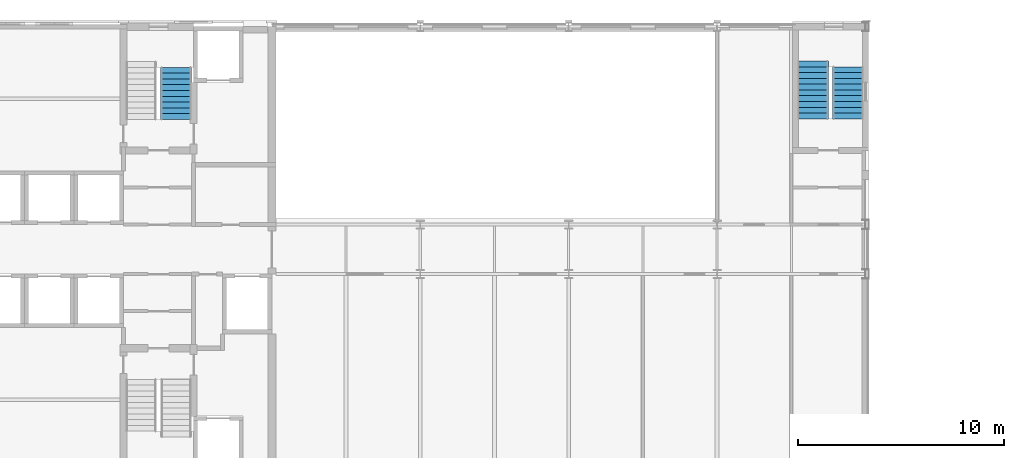
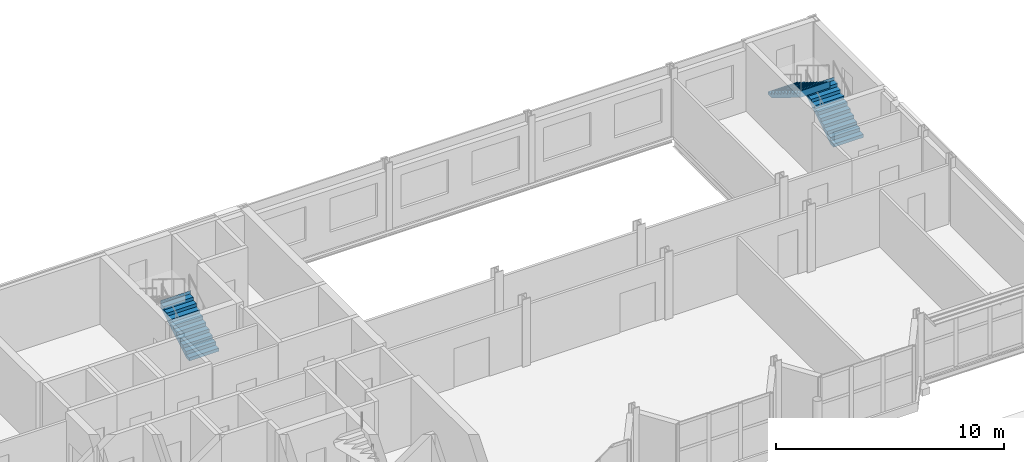
# One storey, part 68 of 120: 3 stair flights, 2 elements without a shape of their own.
"""IFC4 building model written with IfcOpenShell, lengths in metres."""

from ifc_helpers import new_model, si_unit, direction, frame, origin, place, context, subcontext, project, spatial, polyline, outline, extrude, material, type_object, element, aggregate, save


model = new_model("IFC4")

# Units and contexts
model_context = context("Model", 3, precision=1e-05, world=origin(), true_north=direction((0.0, 1.0)))
body_context = subcontext(model_context, "Body", "Model", "MODEL_VIEW")
ifc_project = project(units=[si_unit("LENGTHUNIT", "METRE"), si_unit("AREAUNIT", "SQUARE_METRE"), si_unit("VOLUMEUNIT", "CUBIC_METRE"), si_unit("PLANEANGLEUNIT", "RADIAN"), si_unit("MASSUNIT", "GRAM", prefix="KILO")], contexts=[model_context])

# Site, building, storey
site_placement = place(None, origin())
site = spatial("IfcSite", under=ifc_project, at=site_placement, CompositionType="ELEMENT")
building_placement = place(site_placement, origin())
building = spatial("IfcBuilding", under=site, at=building_placement, Name="Kupolbacken Congress Centre", CompositionType="ELEMENT")
storey_placement = place(building_placement, frame((0.0, 0.0, 21.60009765625)))
storey = spatial("IfcBuildingStorey", under=building, at=storey_placement, Name="L06", CompositionType="ELEMENT", Elevation=21.60009765625)

# Stair, stair flight
ifc_material_1 = material(Name="Steel S355", Category="steel")
stair_type = type_object("IfcStairType", Name="ST2 stair 1500", PredefinedType="TWO_STRAIGHT_RUN_STAIR", material=ifc_material_1)
stair_1_placement = place(storey_placement, origin())
stair_1 = element("IfcStair", 1, at=stair_1_placement, inside=storey, type_object=stair_type, Name="C/stair/TS2/L06", PredefinedType="NOTDEFINED")
ifc_material_2 = material(Name="Steel S355", Category="steel")
stair_flight_type_1 = type_object("IfcStairFlightType", Name="FL3 stair flight 1500 x 10 risers", PredefinedType="STRAIGHT", material=ifc_material_2)
stair_flight_1_placement = place(storey_placement, frame((103.35009765625, 139.5048828125, 0.0), z_axis=(0.0, 0.0, 1.0), x_axis=(0.0, 1.0, 0.0)))
stair_flight_1 = element("IfcStairFlight", 2, at=stair_flight_1_placement, type_object=stair_flight_type_1, Name="TS2 flight 1", NumberOfRisers=10, NumberOfTreads=9, PredefinedType="STRAIGHT", RiserHeight=0.171428571, TreadLength=0.28, context=body_context, shape_type="SweptSolid", body=[
    extrude(outline(polyline([(0.0, 0.0), (0.0, 0.0009765625), (0.0, 0.002197265625), (0.0, 0.003173828125), (0.0, 0.004150390625), (0.0, 0.00537109375), (0.0, 0.00634765625), (0.0, 0.007568359375), (0.0, 0.008544921875), (0.0, 0.009521484375), (0.0, 0.0107421875), (0.0, 0.01171875), (0.0, 0.0126953125), (0.0, 0.013916015625), (0.0, 0.014892578125), (0.0, 0.015869140625), (0.0, 0.01708984375), (0.0, 0.01806640625), (0.0, 0.019287109375), (0.0, 0.020263671875), (0.0, 0.021240234375), (0.0, 0.0224609375), (0.0, 0.0234375), (0.0, 0.0244140625), (0.0, 0.025634765625), (0.0, 0.026611328125), (0.0, 0.027587890625), (0.0, 0.02880859375), (0.0, 0.02978515625), (0.0, 0.03076171875), (0.0, 0.031982421875), (0.0, 0.032958984375), (0.0, 0.0341796875), (0.0, 0.03515625), (0.0, 0.0361328125), (0.0, 0.037353515625), (0.0, 0.038330078125), (0.0, 0.039306640625), (0.0, 0.04052734375), (0.0, 0.04150390625), (0.0, 0.04248046875), (0.0, 0.043701171875), (0.0, 0.044677734375), (0.0, 0.0458984375), (0.0, 0.046875), (0.0, 0.0478515625), (0.0, 0.049072265625), (0.0, 0.050048828125), (0.0, 0.051025390625), (0.0, 0.05224609375), (0.0, 0.05322265625), (0.0, 0.05419921875), (0.0, 0.055419921875), (0.0, 0.056396484375), (0.0, 0.0576171875), (0.0, 0.05859375), (0.0, 0.0595703125), (0.0, 0.060791015625), (0.0, 0.061767578125), (0.0, 0.062744140625), (0.0, 0.06396484375), (0.0, 0.06494140625), (0.0, 0.06591796875), (0.0, 0.067138671875), (0.0, 0.068115234375), (0.0, 0.069091796875), (0.0, 0.0703125), (0.0, 0.0712890625), (0.0, 0.072509765625), (0.0, 0.073486328125), (0.0, 0.074462890625), (0.0, 0.07568359375), (0.0, 0.07666015625), (0.0, 0.07763671875), (0.0, 0.078857421875), (0.0, 0.079833984375), (0.0, 0.080810546875), (0.0, 0.08203125), (0.0, 0.0830078125), (0.0, 0.084228515625), (0.0, 0.085205078125), (0.0, 0.086181640625), (0.0, 0.08740234375), (0.0, 0.08837890625), (0.0, 0.08935546875), (0.0, 0.090576171875), (0.0, 0.091552734375), (0.0, 0.092529296875), (0.0, 0.09375), (0.0, 0.0947265625), (0.0, 0.095947265625), (0.0, 0.096923828125), (0.0, 0.097900390625), (0.0, 0.09912109375), (0.0, 0.10009765625), (0.0, 0.10107421875), (0.0, 0.102294921875), (0.0, 0.103271484375), (0.0, 0.104248046875), (0.0, 0.10546875), (0.0, 0.1064453125), (0.0, 0.107421875), (0.0, 0.108642578125), (0.0, 0.109619140625), (0.0, 0.11083984375), (0.0, 0.11181640625), (0.0, 0.11279296875), (0.0, 0.114013671875), (0.0, 0.114990234375), (0.0, 0.115966796875), (0.0, 0.1171875), (0.0, 0.1181640625), (0.0, 0.119140625), (0.0, 0.120361328125), (0.0, 0.121337890625), (0.0, 0.12255859375), (0.0, 0.12353515625), (0.0, 0.12451171875), (0.0, 0.125732421875), (0.0, 0.126708984375), (0.0, 0.127685546875), (0.0, 0.12890625), (0.0, 0.1298828125), (0.0, 0.130859375), (0.0, 0.132080078125), (0.0, 0.133056640625), (0.0, 0.13427734375), (0.0, 0.13525390625), (0.0, 0.13623046875), (0.0, 0.137451171875), (0.0, 0.138427734375), (0.0, 0.139404296875), (0.0, 0.140625), (0.0, 0.1416015625), (0.0, 0.142578125), (0.0, 0.143798828125), (0.0, 0.144775390625), (0.0, 0.145751953125), (0.0, 0.14697265625), (0.0, 0.14794921875), (0.0, 0.149169921875), (0.0, 0.150146484375), (0.0, 0.151123046875), (0.0, 0.15234375), (0.0, 0.1533203125), (0.0, 0.154296875), (0.0, 0.155517578125), (0.0, 0.156494140625), (0.0, 0.157470703125), (0.0, 0.15869140625), (0.0, 0.15966796875), (0.0, 0.160888671875), (0.0, 0.161865234375), (0.0, 0.162841796875), (0.0, 0.1640625), (0.0, 0.1650390625), (0.0, 0.166015625), (0.0, 0.167236328125), (0.0, 0.168212890625), (0.0, 0.169189453125), (0.0, 0.17041015625), (0.0, 0.17138671875), (0.280029296875, 0.17138671875), (0.280029296875, 0.3427734375), (0.56005859375, 0.3427734375), (0.56005859375, 0.514404296875), (0.840087890625, 0.514404296875), (0.840087890625, 0.685791015625), (1.1201171875, 0.685791015625), (1.1201171875, 0.857177734375), (1.39990234375, 0.857177734375), (1.39990234375, 1.028564453125), (1.679931640625, 1.028564453125), (1.679931640625, 1.199951171875), (1.9599609375, 1.199951171875), (1.9599609375, 1.371337890625), (2.239990234375, 1.371337890625), (2.239990234375, 1.54296875), (2.52001953125, 1.54296875), (2.52001953125, 1.71435546875), (2.52197265625, 1.71435546875), (2.52197265625, 1.712158203125), (2.52197265625, 1.7099609375), (2.52197265625, 1.707763671875), (2.52197265625, 1.70556640625), (2.52197265625, 1.70361328125), (2.52197265625, 1.701416015625), (2.52197265625, 1.69921875), (2.52197265625, 1.697021484375), (2.52197265625, 1.69482421875), (2.52197265625, 1.692626953125), (2.52197265625, 1.690673828125), (2.52197265625, 1.6884765625), (2.52197265625, 1.686279296875), (2.52197265625, 1.68408203125), (2.52197265625, 1.681884765625), (2.52197265625, 1.6796875), (2.52197265625, 1.677734375), (2.52197265625, 1.675537109375), (2.52197265625, 1.67333984375), (2.52197265625, 1.671142578125), (2.52197265625, 1.6689453125), (2.52197265625, 1.666748046875), (2.52197265625, 1.664794921875), (2.52197265625, 1.66259765625), (2.52197265625, 1.660400390625), (2.52197265625, 1.658203125), (2.52197265625, 1.656005859375), (2.52197265625, 1.65380859375), (2.52197265625, 1.65185546875), (2.52197265625, 1.649658203125), (2.52197265625, 1.6474609375), (2.52197265625, 1.645263671875), (2.52197265625, 1.64306640625), (2.52197265625, 1.640869140625), (2.52197265625, 1.638916015625), (2.52197265625, 1.63671875), (2.52197265625, 1.634521484375), (2.52197265625, 1.63232421875), (2.52197265625, 1.630126953125), (2.52197265625, 1.6279296875), (2.52197265625, 1.6259765625), (2.52197265625, 1.623779296875), (2.52197265625, 1.62158203125), (2.52197265625, 1.619384765625), (2.52197265625, 1.6171875), (2.52197265625, 1.614990234375), (2.52197265625, 1.613037109375), (2.52197265625, 1.61083984375), (2.52197265625, 1.608642578125), (2.52197265625, 1.6064453125), (2.52197265625, 1.604248046875), (2.52197265625, 1.60205078125), (2.52197265625, 1.60009765625), (2.52197265625, 1.597900390625), (2.52197265625, 1.595703125), (2.52197265625, 1.593505859375), (2.52197265625, 1.59130859375), (2.52197265625, 1.589111328125), (2.52197265625, 1.587158203125), (2.52197265625, 1.5849609375), (2.52197265625, 1.582763671875), (2.52197265625, 1.58056640625), (2.52197265625, 1.578369140625), (2.52197265625, 1.576171875), (2.52197265625, 1.57421875), (2.52197265625, 1.572021484375), (2.52197265625, 1.56982421875), (2.52197265625, 1.567626953125), (2.52197265625, 1.5654296875), (2.52197265625, 1.563232421875), (2.52197265625, 1.561279296875), (2.52197265625, 1.55908203125), (2.52197265625, 1.556884765625), (2.52197265625, 1.5546875), (2.52197265625, 1.552490234375), (2.52197265625, 1.55029296875), (2.52197265625, 1.54833984375), (2.52197265625, 1.546142578125), (2.52197265625, 1.5439453125), (2.52197265625, 1.541748046875), (2.52197265625, 1.53955078125), (2.52197265625, 1.537353515625), (2.52197265625, 1.535400390625), (2.52197265625, 1.533203125), (2.52197265625, 1.531005859375), (2.52197265625, 1.52880859375), (2.52197265625, 1.526611328125), (2.52197265625, 1.5244140625), (2.52197265625, 1.5224609375), (2.52197265625, 1.520263671875), (2.52197265625, 1.51806640625), (2.52197265625, 1.515869140625), (2.52197265625, 1.513671875), (2.52197265625, 1.511474609375), (2.52197265625, 1.509521484375), (2.52197265625, 1.50732421875), (2.52197265625, 1.505126953125), (2.52197265625, 1.5029296875), (2.52197265625, 1.500732421875), (2.52197265625, 1.49853515625), (2.52197265625, 1.49658203125), (2.52197265625, 1.494384765625), (2.52197265625, 1.4921875), (2.52197265625, 1.489990234375), (2.52197265625, 1.48779296875), (2.52197265625, 1.485595703125), (2.52197265625, 1.483642578125), (2.52197265625, 1.4814453125), (2.52197265625, 1.479248046875), (2.52197265625, 1.47705078125), (2.52197265625, 1.474853515625), (2.52197265625, 1.47265625), (2.52197265625, 1.470703125), (2.52197265625, 1.468505859375), (2.52197265625, 1.46630859375), (2.52197265625, 1.464111328125), (2.52197265625, 1.4619140625), (2.52197265625, 1.459716796875), (2.52197265625, 1.457763671875), (2.52197265625, 1.45556640625), (2.52197265625, 1.453369140625), (2.52197265625, 1.451171875), (2.52197265625, 1.448974609375), (2.52197265625, 1.44677734375), (2.52197265625, 1.44482421875), (2.52197265625, 1.442626953125), (2.52197265625, 1.4404296875), (2.52197265625, 1.438232421875), (2.52197265625, 1.43603515625), (2.52197265625, 1.433837890625), (2.52197265625, 1.431884765625), (2.52197265625, 1.4296875), (2.52197265625, 1.427490234375), (2.52197265625, 1.42529296875), (2.52197265625, 1.423095703125), (2.52197265625, 1.4208984375), (2.52197265625, 1.4189453125), (2.52197265625, 1.416748046875), (2.52197265625, 1.41455078125), (2.52197265625, 1.412353515625), (2.52197265625, 1.41015625), (2.52197265625, 1.407958984375), (2.52197265625, 1.406005859375), (2.52197265625, 1.40380859375), (2.52197265625, 1.401611328125), (2.52197265625, 1.3994140625), (2.52197265625, 1.397216796875), (2.52197265625, 1.39501953125), (2.52197265625, 1.39306640625), (2.52197265625, 1.390869140625), (2.52197265625, 1.388671875), (2.52197265625, 1.386474609375), (2.52197265625, 1.38427734375), (2.52197265625, 1.382080078125), (2.52197265625, 1.380126953125), (2.52197265625, 1.3779296875), (2.52197265625, 1.375732421875), (2.52197265625, 1.37353515625), (2.52197265625, 1.371337890625), (2.52197265625, 1.369140625), (2.52197265625, 1.3671875), (0.2890625, 0.0), (0.0, 0.0)])), frame((0.0, 0.75, 0.0), z_axis=(0.0, -1.0, 0.0), x_axis=(1.0, 0.0, 0.0)), (0.0, 0.0, 1.0), 1.5),
])
aggregate(stair_1, [stair_flight_1])

# Stair, stair flights
stair_2_placement = place(storey_placement, origin())
stair_2 = element("IfcStair", 3, at=stair_2_placement, inside=storey, type_object=stair_type, Name="C/stair/TS4/L06", PredefinedType="NOTDEFINED")
stair_flight_2_placement = place(storey_placement, frame((135.949951171875, 139.530029296875, 0.0), z_axis=(0.0, 0.0, 1.0), x_axis=(0.0, 1.0, 0.0)))
stair_flight_2 = element("IfcStairFlight", 4, at=stair_flight_2_placement, type_object=stair_flight_type_1, Name="TS4 flight 1", NumberOfRisers=10, NumberOfTreads=9, PredefinedType="STRAIGHT", RiserHeight=0.171428571, TreadLength=0.28, context=body_context, shape_type="SweptSolid", body=[
    extrude(outline(polyline([(0.0, 0.0), (0.0, 0.0009765625), (0.0, 0.002197265625), (0.0, 0.003173828125), (0.0, 0.004150390625), (0.0, 0.00537109375), (0.0, 0.00634765625), (0.0, 0.007568359375), (0.0, 0.008544921875), (0.0, 0.009521484375), (0.0, 0.0107421875), (0.0, 0.01171875), (0.0, 0.0126953125), (0.0, 0.013916015625), (0.0, 0.014892578125), (0.0, 0.015869140625), (0.0, 0.01708984375), (0.0, 0.01806640625), (0.0, 0.019287109375), (0.0, 0.020263671875), (0.0, 0.021240234375), (0.0, 0.0224609375), (0.0, 0.0234375), (0.0, 0.0244140625), (0.0, 0.025634765625), (0.0, 0.026611328125), (0.0, 0.027587890625), (0.0, 0.02880859375), (0.0, 0.02978515625), (0.0, 0.03076171875), (0.0, 0.031982421875), (0.0, 0.032958984375), (0.0, 0.0341796875), (0.0, 0.03515625), (0.0, 0.0361328125), (0.0, 0.037353515625), (0.0, 0.038330078125), (0.0, 0.039306640625), (0.0, 0.04052734375), (0.0, 0.04150390625), (0.0, 0.04248046875), (0.0, 0.043701171875), (0.0, 0.044677734375), (0.0, 0.0458984375), (0.0, 0.046875), (0.0, 0.0478515625), (0.0, 0.049072265625), (0.0, 0.050048828125), (0.0, 0.051025390625), (0.0, 0.05224609375), (0.0, 0.05322265625), (0.0, 0.05419921875), (0.0, 0.055419921875), (0.0, 0.056396484375), (0.0, 0.0576171875), (0.0, 0.05859375), (0.0, 0.0595703125), (0.0, 0.060791015625), (0.0, 0.061767578125), (0.0, 0.062744140625), (0.0, 0.06396484375), (0.0, 0.06494140625), (0.0, 0.06591796875), (0.0, 0.067138671875), (0.0, 0.068115234375), (0.0, 0.069091796875), (0.0, 0.0703125), (0.0, 0.0712890625), (0.0, 0.072509765625), (0.0, 0.073486328125), (0.0, 0.074462890625), (0.0, 0.07568359375), (0.0, 0.07666015625), (0.0, 0.07763671875), (0.0, 0.078857421875), (0.0, 0.079833984375), (0.0, 0.080810546875), (0.0, 0.08203125), (0.0, 0.0830078125), (0.0, 0.084228515625), (0.0, 0.085205078125), (0.0, 0.086181640625), (0.0, 0.08740234375), (0.0, 0.08837890625), (0.0, 0.08935546875), (0.0, 0.090576171875), (0.0, 0.091552734375), (0.0, 0.092529296875), (0.0, 0.09375), (0.0, 0.0947265625), (0.0, 0.095947265625), (0.0, 0.096923828125), (0.0, 0.097900390625), (0.0, 0.09912109375), (0.0, 0.10009765625), (0.0, 0.10107421875), (0.0, 0.102294921875), (0.0, 0.103271484375), (0.0, 0.104248046875), (0.0, 0.10546875), (0.0, 0.1064453125), (0.0, 0.107421875), (0.0, 0.108642578125), (0.0, 0.109619140625), (0.0, 0.11083984375), (0.0, 0.11181640625), (0.0, 0.11279296875), (0.0, 0.114013671875), (0.0, 0.114990234375), (0.0, 0.115966796875), (0.0, 0.1171875), (0.0, 0.1181640625), (0.0, 0.119140625), (0.0, 0.120361328125), (0.0, 0.121337890625), (0.0, 0.12255859375), (0.0, 0.12353515625), (0.0, 0.12451171875), (0.0, 0.125732421875), (0.0, 0.126708984375), (0.0, 0.127685546875), (0.0, 0.12890625), (0.0, 0.1298828125), (0.0, 0.130859375), (0.0, 0.132080078125), (0.0, 0.133056640625), (0.0, 0.13427734375), (0.0, 0.13525390625), (0.0, 0.13623046875), (0.0, 0.137451171875), (0.0, 0.138427734375), (0.0, 0.139404296875), (0.0, 0.140625), (0.0, 0.1416015625), (0.0, 0.142578125), (0.0, 0.143798828125), (0.0, 0.144775390625), (0.0, 0.145751953125), (0.0, 0.14697265625), (0.0, 0.14794921875), (0.0, 0.149169921875), (0.0, 0.150146484375), (0.0, 0.151123046875), (0.0, 0.15234375), (0.0, 0.1533203125), (0.0, 0.154296875), (0.0, 0.155517578125), (0.0, 0.156494140625), (0.0, 0.157470703125), (0.0, 0.15869140625), (0.0, 0.15966796875), (0.0, 0.160888671875), (0.0, 0.161865234375), (0.0, 0.162841796875), (0.0, 0.1640625), (0.0, 0.1650390625), (0.0, 0.166015625), (0.0, 0.167236328125), (0.0, 0.168212890625), (0.0, 0.169189453125), (0.0, 0.17041015625), (0.0, 0.17138671875), (0.280029296875, 0.17138671875), (0.280029296875, 0.3427734375), (0.56005859375, 0.3427734375), (0.56005859375, 0.514404296875), (0.840087890625, 0.514404296875), (0.840087890625, 0.685791015625), (1.1201171875, 0.685791015625), (1.1201171875, 0.857177734375), (1.39990234375, 0.857177734375), (1.39990234375, 1.028564453125), (1.679931640625, 1.028564453125), (1.679931640625, 1.199951171875), (1.9599609375, 1.199951171875), (1.9599609375, 1.371337890625), (2.239990234375, 1.371337890625), (2.239990234375, 1.54296875), (2.52001953125, 1.54296875), (2.52001953125, 1.71435546875), (2.52197265625, 1.71435546875), (2.52197265625, 1.712158203125), (2.52197265625, 1.7099609375), (2.52197265625, 1.707763671875), (2.52197265625, 1.70556640625), (2.52197265625, 1.70361328125), (2.52197265625, 1.701416015625), (2.52197265625, 1.69921875), (2.52197265625, 1.697021484375), (2.52197265625, 1.69482421875), (2.52197265625, 1.692626953125), (2.52197265625, 1.690673828125), (2.52197265625, 1.6884765625), (2.52197265625, 1.686279296875), (2.52197265625, 1.68408203125), (2.52197265625, 1.681884765625), (2.52197265625, 1.6796875), (2.52197265625, 1.677734375), (2.52197265625, 1.675537109375), (2.52197265625, 1.67333984375), (2.52197265625, 1.671142578125), (2.52197265625, 1.6689453125), (2.52197265625, 1.666748046875), (2.52197265625, 1.664794921875), (2.52197265625, 1.66259765625), (2.52197265625, 1.660400390625), (2.52197265625, 1.658203125), (2.52197265625, 1.656005859375), (2.52197265625, 1.65380859375), (2.52197265625, 1.65185546875), (2.52197265625, 1.649658203125), (2.52197265625, 1.6474609375), (2.52197265625, 1.645263671875), (2.52197265625, 1.64306640625), (2.52197265625, 1.640869140625), (2.52197265625, 1.638916015625), (2.52197265625, 1.63671875), (2.52197265625, 1.634521484375), (2.52197265625, 1.63232421875), (2.52197265625, 1.630126953125), (2.52197265625, 1.6279296875), (2.52197265625, 1.6259765625), (2.52197265625, 1.623779296875), (2.52197265625, 1.62158203125), (2.52197265625, 1.619384765625), (2.52197265625, 1.6171875), (2.52197265625, 1.614990234375), (2.52197265625, 1.613037109375), (2.52197265625, 1.61083984375), (2.52197265625, 1.608642578125), (2.52197265625, 1.6064453125), (2.52197265625, 1.604248046875), (2.52197265625, 1.60205078125), (2.52197265625, 1.60009765625), (2.52197265625, 1.597900390625), (2.52197265625, 1.595703125), (2.52197265625, 1.593505859375), (2.52197265625, 1.59130859375), (2.52197265625, 1.589111328125), (2.52197265625, 1.587158203125), (2.52197265625, 1.5849609375), (2.52197265625, 1.582763671875), (2.52197265625, 1.58056640625), (2.52197265625, 1.578369140625), (2.52197265625, 1.576171875), (2.52197265625, 1.57421875), (2.52197265625, 1.572021484375), (2.52197265625, 1.56982421875), (2.52197265625, 1.567626953125), (2.52197265625, 1.5654296875), (2.52197265625, 1.563232421875), (2.52197265625, 1.561279296875), (2.52197265625, 1.55908203125), (2.52197265625, 1.556884765625), (2.52197265625, 1.5546875), (2.52197265625, 1.552490234375), (2.52197265625, 1.55029296875), (2.52197265625, 1.54833984375), (2.52197265625, 1.546142578125), (2.52197265625, 1.5439453125), (2.52197265625, 1.541748046875), (2.52197265625, 1.53955078125), (2.52197265625, 1.537353515625), (2.52197265625, 1.535400390625), (2.52197265625, 1.533203125), (2.52197265625, 1.531005859375), (2.52197265625, 1.52880859375), (2.52197265625, 1.526611328125), (2.52197265625, 1.5244140625), (2.52197265625, 1.5224609375), (2.52197265625, 1.520263671875), (2.52197265625, 1.51806640625), (2.52197265625, 1.515869140625), (2.52197265625, 1.513671875), (2.52197265625, 1.511474609375), (2.52197265625, 1.509521484375), (2.52197265625, 1.50732421875), (2.52197265625, 1.505126953125), (2.52197265625, 1.5029296875), (2.52197265625, 1.500732421875), (2.52197265625, 1.49853515625), (2.52197265625, 1.49658203125), (2.52197265625, 1.494384765625), (2.52197265625, 1.4921875), (2.52197265625, 1.489990234375), (2.52197265625, 1.48779296875), (2.52197265625, 1.485595703125), (2.52197265625, 1.483642578125), (2.52197265625, 1.4814453125), (2.52197265625, 1.479248046875), (2.52197265625, 1.47705078125), (2.52197265625, 1.474853515625), (2.52197265625, 1.47265625), (2.52197265625, 1.470703125), (2.52197265625, 1.468505859375), (2.52197265625, 1.46630859375), (2.52197265625, 1.464111328125), (2.52197265625, 1.4619140625), (2.52197265625, 1.459716796875), (2.52197265625, 1.457763671875), (2.52197265625, 1.45556640625), (2.52197265625, 1.453369140625), (2.52197265625, 1.451171875), (2.52197265625, 1.448974609375), (2.52197265625, 1.44677734375), (2.52197265625, 1.44482421875), (2.52197265625, 1.442626953125), (2.52197265625, 1.4404296875), (2.52197265625, 1.438232421875), (2.52197265625, 1.43603515625), (2.52197265625, 1.433837890625), (2.52197265625, 1.431884765625), (2.52197265625, 1.4296875), (2.52197265625, 1.427490234375), (2.52197265625, 1.42529296875), (2.52197265625, 1.423095703125), (2.52197265625, 1.4208984375), (2.52197265625, 1.4189453125), (2.52197265625, 1.416748046875), (2.52197265625, 1.41455078125), (2.52197265625, 1.412353515625), (2.52197265625, 1.41015625), (2.52197265625, 1.407958984375), (2.52197265625, 1.406005859375), (2.52197265625, 1.40380859375), (2.52197265625, 1.401611328125), (2.52197265625, 1.3994140625), (2.52197265625, 1.397216796875), (2.52197265625, 1.39501953125), (2.52197265625, 1.39306640625), (2.52197265625, 1.390869140625), (2.52197265625, 1.388671875), (2.52197265625, 1.386474609375), (2.52197265625, 1.38427734375), (2.52197265625, 1.382080078125), (2.52197265625, 1.380126953125), (2.52197265625, 1.3779296875), (2.52197265625, 1.375732421875), (2.52197265625, 1.37353515625), (2.52197265625, 1.371337890625), (2.52197265625, 1.369140625), (2.52197265625, 1.3671875), (0.2890625, 0.0), (0.0, 0.0)])), frame((0.0, 0.75, 0.0), z_axis=(0.0, -1.0, 0.0), x_axis=(1.0, 0.0, 0.0)), (0.0, 0.0, 1.0), 1.5),
])
ifc_material_3 = material(Name="Steel S355", Category="steel")
stair_flight_type_2 = type_object("IfcStairFlightType", Name="FL4 stair flight 1500 x 11 risers", PredefinedType="STRAIGHT", material=ifc_material_3)
stair_flight_3_placement = place(storey_placement, frame((134.25, 142.330078125, 1.714111328125), z_axis=(0.0, 0.0, 1.0), x_axis=(0.0, -1.0, 0.0)))
stair_flight_3 = element("IfcStairFlight", 5, at=stair_flight_3_placement, type_object=stair_flight_type_2, Name="TS4 flight 2", NumberOfRisers=11, NumberOfTreads=10, PredefinedType="STRAIGHT", RiserHeight=0.171428571, TreadLength=0.28, context=body_context, shape_type="SweptSolid", body=[
    extrude(outline(polyline([(0.0, 0.0), (0.0, 0.0009765625), (0.0, 0.002197265625), (0.0, 0.003173828125), (0.0, 0.004150390625), (0.0, 0.00537109375), (0.0, 0.00634765625), (0.0, 0.007568359375), (0.0, 0.008544921875), (0.0, 0.009521484375), (0.0, 0.0107421875), (0.0, 0.01171875), (0.0, 0.0126953125), (0.0, 0.013916015625), (0.0, 0.014892578125), (0.0, 0.015869140625), (0.0, 0.01708984375), (0.0, 0.01806640625), (0.0, 0.019287109375), (0.0, 0.020263671875), (0.0, 0.021240234375), (0.0, 0.0224609375), (0.0, 0.0234375), (0.0, 0.0244140625), (0.0, 0.025634765625), (0.0, 0.026611328125), (0.0, 0.027587890625), (0.0, 0.02880859375), (0.0, 0.02978515625), (0.0, 0.03076171875), (0.0, 0.031982421875), (0.0, 0.032958984375), (0.0, 0.0341796875), (0.0, 0.03515625), (0.0, 0.0361328125), (0.0, 0.037353515625), (0.0, 0.038330078125), (0.0, 0.039306640625), (0.0, 0.04052734375), (0.0, 0.04150390625), (0.0, 0.04248046875), (0.0, 0.043701171875), (0.0, 0.044677734375), (0.0, 0.0458984375), (0.0, 0.046875), (0.0, 0.0478515625), (0.0, 0.049072265625), (0.0, 0.050048828125), (0.0, 0.051025390625), (0.0, 0.05224609375), (0.0, 0.05322265625), (0.0, 0.05419921875), (0.0, 0.055419921875), (0.0, 0.056396484375), (0.0, 0.0576171875), (0.0, 0.05859375), (0.0, 0.0595703125), (0.0, 0.060791015625), (0.0, 0.061767578125), (0.0, 0.062744140625), (0.0, 0.06396484375), (0.0, 0.06494140625), (0.0, 0.06591796875), (0.0, 0.067138671875), (0.0, 0.068115234375), (0.0, 0.069091796875), (0.0, 0.0703125), (0.0, 0.0712890625), (0.0, 0.072509765625), (0.0, 0.073486328125), (0.0, 0.074462890625), (0.0, 0.07568359375), (0.0, 0.07666015625), (0.0, 0.07763671875), (0.0, 0.078857421875), (0.0, 0.079833984375), (0.0, 0.080810546875), (0.0, 0.08203125), (0.0, 0.0830078125), (0.0, 0.084228515625), (0.0, 0.085205078125), (0.0, 0.086181640625), (0.0, 0.08740234375), (0.0, 0.08837890625), (0.0, 0.08935546875), (0.0, 0.090576171875), (0.0, 0.091552734375), (0.0, 0.092529296875), (0.0, 0.09375), (0.0, 0.0947265625), (0.0, 0.095947265625), (0.0, 0.096923828125), (0.0, 0.097900390625), (0.0, 0.09912109375), (0.0, 0.10009765625), (0.0, 0.10107421875), (0.0, 0.102294921875), (0.0, 0.103271484375), (0.0, 0.104248046875), (0.0, 0.10546875), (0.0, 0.1064453125), (0.0, 0.107421875), (0.0, 0.108642578125), (0.0, 0.109619140625), (0.0, 0.11083984375), (0.0, 0.11181640625), (0.0, 0.11279296875), (0.0, 0.114013671875), (0.0, 0.114990234375), (0.0, 0.115966796875), (0.0, 0.1171875), (0.0, 0.1181640625), (0.0, 0.119140625), (0.0, 0.120361328125), (0.0, 0.121337890625), (0.0, 0.12255859375), (0.0, 0.12353515625), (0.0, 0.12451171875), (0.0, 0.125732421875), (0.0, 0.126708984375), (0.0, 0.127685546875), (0.0, 0.12890625), (0.0, 0.1298828125), (0.0, 0.130859375), (0.0, 0.132080078125), (0.0, 0.133056640625), (0.0, 0.13427734375), (0.0, 0.13525390625), (0.0, 0.13623046875), (0.0, 0.137451171875), (0.0, 0.138427734375), (0.0, 0.139404296875), (0.0, 0.140625), (0.0, 0.1416015625), (0.0, 0.142578125), (0.0, 0.143798828125), (0.0, 0.144775390625), (0.0, 0.145751953125), (0.0, 0.14697265625), (0.0, 0.14794921875), (0.0, 0.149169921875), (0.0, 0.150146484375), (0.0, 0.151123046875), (0.0, 0.15234375), (0.0, 0.1533203125), (0.0, 0.154296875), (0.0, 0.155517578125), (0.0, 0.156494140625), (0.0, 0.157470703125), (0.0, 0.15869140625), (0.0, 0.15966796875), (0.0, 0.160888671875), (0.0, 0.161865234375), (0.0, 0.162841796875), (0.0, 0.1640625), (0.0, 0.1650390625), (0.0, 0.166015625), (0.0, 0.167236328125), (0.0, 0.168212890625), (0.0, 0.169189453125), (0.0, 0.17041015625), (0.0, 0.17138671875), (0.280029296875, 0.17138671875), (0.280029296875, 0.3427734375), (0.56005859375, 0.3427734375), (0.56005859375, 0.514404296875), (0.840087890625, 0.514404296875), (0.840087890625, 0.685791015625), (1.1201171875, 0.685791015625), (1.1201171875, 0.857177734375), (1.39990234375, 0.857177734375), (1.39990234375, 1.028564453125), (1.679931640625, 1.028564453125), (1.679931640625, 1.199951171875), (1.9599609375, 1.199951171875), (1.9599609375, 1.371337890625), (2.239990234375, 1.371337890625), (2.239990234375, 1.54296875), (2.52001953125, 1.54296875), (2.52001953125, 1.71435546875), (2.800048828125, 1.71435546875), (2.800048828125, 1.8857421875), (2.802001953125, 1.8857421875), (2.802001953125, 1.883544921875), (2.802001953125, 1.88134765625), (2.802001953125, 1.879150390625), (2.802001953125, 1.877197265625), (2.802001953125, 1.875), (2.802001953125, 1.872802734375), (2.802001953125, 1.87060546875), (2.802001953125, 1.868408203125), (2.802001953125, 1.8662109375), (2.802001953125, 1.8642578125), (2.802001953125, 1.862060546875), (2.802001953125, 1.85986328125), (2.802001953125, 1.857666015625), (2.802001953125, 1.85546875), (2.802001953125, 1.853271484375), (2.802001953125, 1.851318359375), (2.802001953125, 1.84912109375), (2.802001953125, 1.846923828125), (2.802001953125, 1.8447265625), (2.802001953125, 1.842529296875), (2.802001953125, 1.84033203125), (2.802001953125, 1.83837890625), (2.802001953125, 1.836181640625), (2.802001953125, 1.833984375), (2.802001953125, 1.831787109375), (2.802001953125, 1.82958984375), (2.802001953125, 1.827392578125), (2.802001953125, 1.825439453125), (2.802001953125, 1.8232421875), (2.802001953125, 1.821044921875), (2.802001953125, 1.81884765625), (2.802001953125, 1.816650390625), (2.802001953125, 1.814453125), (2.802001953125, 1.8125), (2.802001953125, 1.810302734375), (2.802001953125, 1.80810546875), (2.802001953125, 1.805908203125), (2.802001953125, 1.8037109375), (2.802001953125, 1.801513671875), (2.802001953125, 1.799560546875), (2.802001953125, 1.79736328125), (2.802001953125, 1.795166015625), (2.802001953125, 1.79296875), (2.802001953125, 1.790771484375), (2.802001953125, 1.78857421875), (2.802001953125, 1.78662109375), (2.802001953125, 1.784423828125), (2.802001953125, 1.7822265625), (2.802001953125, 1.780029296875), (2.802001953125, 1.77783203125), (2.802001953125, 1.775634765625), (2.802001953125, 1.773681640625), (2.802001953125, 1.771484375), (2.802001953125, 1.769287109375), (2.802001953125, 1.76708984375), (2.802001953125, 1.764892578125), (2.802001953125, 1.7626953125), (2.802001953125, 1.7607421875), (2.802001953125, 1.758544921875), (2.802001953125, 1.75634765625), (2.802001953125, 1.754150390625), (2.802001953125, 1.751953125), (2.802001953125, 1.749755859375), (2.802001953125, 1.747802734375), (2.802001953125, 1.74560546875), (2.802001953125, 1.743408203125), (2.802001953125, 1.7412109375), (2.802001953125, 1.739013671875), (2.802001953125, 1.73681640625), (2.802001953125, 1.73486328125), (2.802001953125, 1.732666015625), (2.802001953125, 1.73046875), (2.802001953125, 1.728271484375), (2.802001953125, 1.72607421875), (2.802001953125, 1.723876953125), (2.802001953125, 1.721923828125), (2.802001953125, 1.7197265625), (2.802001953125, 1.717529296875), (2.802001953125, 1.71533203125), (2.802001953125, 1.713134765625), (2.802001953125, 1.7109375), (2.802001953125, 1.708984375), (2.802001953125, 1.706787109375), (2.802001953125, 1.70458984375), (2.802001953125, 1.702392578125), (2.802001953125, 1.7001953125), (2.802001953125, 1.697998046875), (2.802001953125, 1.696044921875), (2.802001953125, 1.69384765625), (2.802001953125, 1.691650390625), (2.802001953125, 1.689453125), (2.802001953125, 1.687255859375), (2.802001953125, 1.68505859375), (2.802001953125, 1.68310546875), (2.802001953125, 1.680908203125), (2.802001953125, 1.6787109375), (2.802001953125, 1.676513671875), (2.802001953125, 1.67431640625), (2.802001953125, 1.672119140625), (2.802001953125, 1.670166015625), (2.802001953125, 1.66796875), (2.802001953125, 1.665771484375), (2.802001953125, 1.66357421875), (2.802001953125, 1.661376953125), (2.802001953125, 1.6591796875), (2.802001953125, 1.6572265625), (2.802001953125, 1.655029296875), (2.802001953125, 1.65283203125), (2.802001953125, 1.650634765625), (2.802001953125, 1.6484375), (2.802001953125, 1.646240234375), (2.802001953125, 1.644287109375), (2.802001953125, 1.64208984375), (2.802001953125, 1.639892578125), (2.802001953125, 1.6376953125), (2.802001953125, 1.635498046875), (2.802001953125, 1.63330078125), (2.802001953125, 1.63134765625), (2.802001953125, 1.629150390625), (2.802001953125, 1.626953125), (2.802001953125, 1.624755859375), (2.802001953125, 1.62255859375), (2.802001953125, 1.620361328125), (2.802001953125, 1.618408203125), (2.802001953125, 1.6162109375), (2.802001953125, 1.614013671875), (2.802001953125, 1.61181640625), (2.802001953125, 1.609619140625), (2.802001953125, 1.607421875), (2.802001953125, 1.60546875), (2.802001953125, 1.603271484375), (2.802001953125, 1.60107421875), (2.802001953125, 1.598876953125), (2.802001953125, 1.5966796875), (2.802001953125, 1.594482421875), (2.802001953125, 1.592529296875), (2.802001953125, 1.59033203125), (2.802001953125, 1.588134765625), (2.802001953125, 1.5859375), (2.802001953125, 1.583740234375), (2.802001953125, 1.58154296875), (2.802001953125, 1.57958984375), (2.802001953125, 1.577392578125), (2.802001953125, 1.5751953125), (2.802001953125, 1.572998046875), (2.802001953125, 1.57080078125), (2.802001953125, 1.568603515625), (2.802001953125, 1.566650390625), (2.802001953125, 1.564453125), (2.802001953125, 1.562255859375), (2.802001953125, 1.56005859375), (2.802001953125, 1.557861328125), (2.802001953125, 1.5556640625), (2.802001953125, 1.5537109375), (2.802001953125, 1.551513671875), (2.802001953125, 1.54931640625), (2.802001953125, 1.547119140625), (2.802001953125, 1.544921875), (2.802001953125, 1.542724609375), (2.802001953125, 1.540771484375), (2.802001953125, 1.53857421875), (0.2890625, 0.0), (0.0, 0.0)])), frame((0.0, 0.75, 0.0), z_axis=(0.0, -1.0, 0.0), x_axis=(1.0, 0.0, 0.0)), (0.0, 0.0, 1.0), 1.5),
])
aggregate(stair_2, [stair_flight_2, stair_flight_3])

save(model, "model.ifc")
